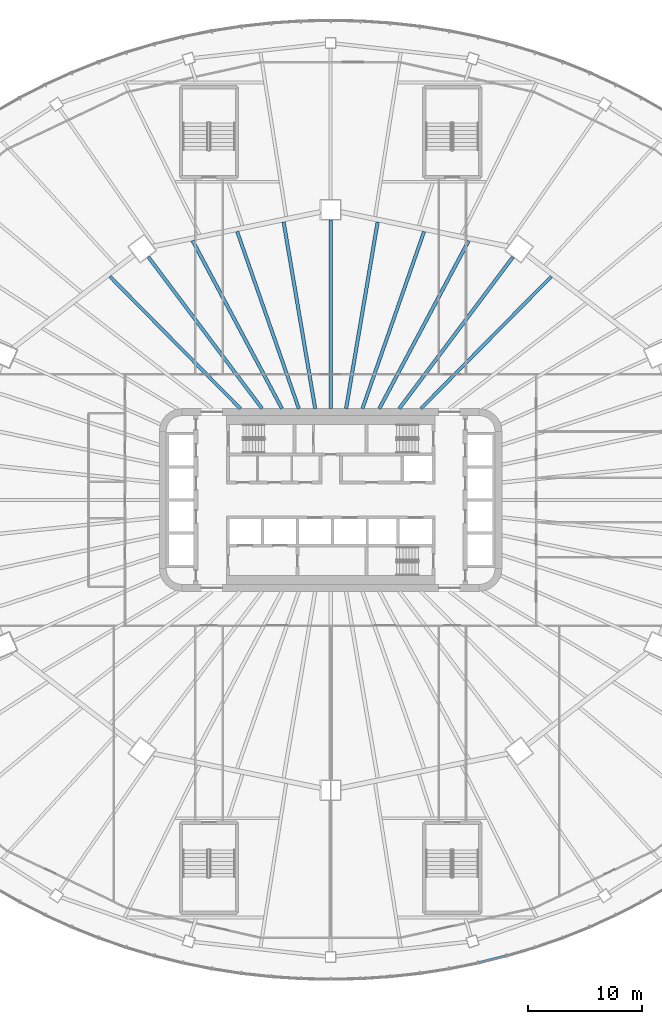
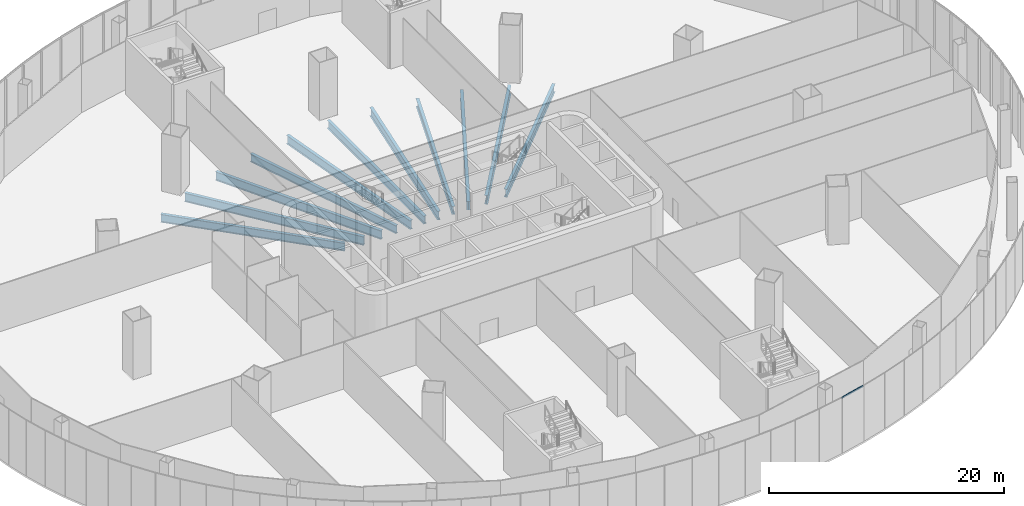
# One storey, part 8 of 37: 11 beams, 1 member, 1 element without a shape of its own.
"""IFC4 building model written with IfcOpenShell, lengths in metres."""

from ifc_helpers import new_model, si_unit, direction, frame, origin, origin_2d, place, context, subcontext, project, spatial, rectangle, i_section, extrude, material, layer, layer_set, material_profile, profile_set, type_object, element, aggregate, save


model = new_model("IFC4")

# Units and contexts
model_context = context("Model", 3, precision=1e-05, world=origin(), true_north=direction((0.0, 1.0)))
body_context = subcontext(model_context, "Body", "Model", "MODEL_VIEW")
ifc_project = project(units=[si_unit("LENGTHUNIT", "METRE"), si_unit("AREAUNIT", "SQUARE_METRE"), si_unit("VOLUMEUNIT", "CUBIC_METRE"), si_unit("PLANEANGLEUNIT", "RADIAN"), si_unit("MASSUNIT", "GRAM", prefix="KILO")], contexts=[model_context])

# Site, building, storey
site_placement = place(None, origin())
site = spatial("IfcSite", under=ifc_project, at=site_placement, CompositionType="ELEMENT")
building_placement = place(site_placement, origin())
building = spatial("IfcBuilding", under=site, at=building_placement, Name="Sahrelin Media Tower", CompositionType="ELEMENT")
storey_placement = place(building_placement, frame((0.0, 0.0, 31.39990234375)))
storey = spatial("IfcBuildingStorey", under=building, at=storey_placement, Name="L04", CompositionType="ELEMENT", Elevation=31.39990234375)

# Beams
ifc_material_1 = material(Name="Steel S355", Category="steel")
ifc_material_profile_1 = material_profile(ifc_material_1, i_section(OverallWidth=0.291748046875, OverallDepth=0.8349609375, WebThickness=0.013916015625, FlangeThickness=0.018798828125, FilletRadius=0.017822265625, at=origin_2d()), Name="UB 838x292x176")
ifc_profile_set_1 = profile_set([ifc_material_profile_1], Name="Steel S355")
beam_type_1 = type_object("IfcBeamType", Name="Radial primary beam PB10", PredefinedType="BEAM", material=ifc_profile_set_1)
beam_1_placement = place(storey_placement, frame((2.784912109375, 8.0, -0.6171875), z_axis=(0.328776215552, 0.944407856854, 0.0), x_axis=(-0.944407856854, 0.328776215552, 0.0)))
element("IfcBeam", 1, at=beam_1_placement, inside=storey, type_object=beam_type_1, Name="Radial beam L04-06", PredefinedType="BEAM", context=body_context, shape_type="SweptSolid", body=[
    extrude(i_section(OverallWidth=0.291748046875, OverallDepth=0.8349609375, WebThickness=0.013916015625, FlangeThickness=0.018798828125, FilletRadius=0.017822265625, at=origin_2d()), origin(), (0.0, 0.0, 1.0), 16.41162109375),
])
beam_2_placement = place(storey_placement, frame((0.0, 8.0, -0.6171875), z_axis=(0.0, 1.0, 0.0), x_axis=(-1.0, 0.0, 0.0)))
element("IfcBeam", 2, at=beam_2_placement, inside=storey, type_object=beam_type_1, Name="Radial beam L04-07", PredefinedType="BEAM", context=body_context, shape_type="SweptSolid", body=[
    extrude(i_section(OverallWidth=0.291748046875, OverallDepth=0.8349609375, WebThickness=0.013916015625, FlangeThickness=0.018798828125, FilletRadius=0.017822265625, at=origin_2d()), origin(), (0.0, 0.0, 1.0), 16.5),
])
beam_3_placement = place(storey_placement, frame((-2.784912109375, 8.0, -0.6171875), z_axis=(-0.328776215552, 0.944407856854, 0.0), x_axis=(-0.944407856854, -0.328776215552, 0.0)))
element("IfcBeam", 3, at=beam_3_placement, inside=storey, type_object=beam_type_1, Name="Radial beam L04-08", PredefinedType="BEAM", context=body_context, shape_type="SweptSolid", body=[
    extrude(i_section(OverallWidth=0.291748046875, OverallDepth=0.8349609375, WebThickness=0.013916015625, FlangeThickness=0.018798828125, FilletRadius=0.017822265625, at=origin_2d()), origin(), (0.0, 0.0, 1.0), 16.41162109375),
])
ifc_material_profile_2 = material_profile(ifc_material_1, i_section(OverallWidth=0.30322265625, OverallDepth=0.903076171875, WebThickness=0.01513671875, FlangeThickness=0.020263671875, FilletRadius=0.01904296875, at=origin_2d()), Name="UB 914x305x201")
ifc_profile_set_2 = profile_set([ifc_material_profile_2], Name="Steel S355")
beam_type_2 = type_object("IfcBeamType", Name="Radial primary beam PB11", PredefinedType="BEAM", material=ifc_profile_set_2)
for number, where, z_axis, x_axis, name in (
    (4, (6.000732421875, 8.0, -0.6513671875), (0.600054130443, 0.799959399306, 0.0), (-0.799959399306, 0.600054130443, 0.0), "Radial beam L04-05"),
    (5, (-6.000732421875, 8.0, -0.6513671875), (-0.600054130443, 0.799959399306, 0.0), (-0.799959399306, -0.600054130443, 0.0), "Radial beam L04-09"),
):
    element("IfcBeam", number, at=place(storey_placement, frame(where, z_axis=z_axis, x_axis=x_axis)), inside=storey, type_object=beam_type_2, Name=name, PredefinedType="BEAM", context=body_context, shape_type="SweptSolid", body=[
        extrude(i_section(OverallWidth=0.30322265625, OverallDepth=0.903076171875, WebThickness=0.01513671875, FlangeThickness=0.020263671875, FilletRadius=0.01904296875, at=origin_2d()), origin(), (0.0, 0.0, 1.0), 16.59716796875),
    ])
ifc_material_profile_3 = material_profile(ifc_material_1, i_section(OverallWidth=0.291748046875, OverallDepth=0.8349609375, WebThickness=0.013916015625, FlangeThickness=0.018798828125, FilletRadius=0.017822265625, at=origin_2d()), Name="UB 838x292x176")
ifc_profile_set_3 = profile_set([ifc_material_profile_3], Name="Steel S355")
beam_type_3 = type_object("IfcBeamType", Name="Radial secondary beam SB10", PredefinedType="BEAM", material=ifc_profile_set_3)
for number, where, z_axis, x_axis, name in (
    (6, (7.901123046875, 8.0, -0.6171875), (0.702706329063, 0.711480017355, 0.0), (-0.711480017355, 0.702706329063, 0.0), "Secondary beam L04-04"),
    (7, (-7.901123046875, 8.0, -0.6171875), (-0.702706329063, 0.711480017355, 0.0), (-0.711480017355, -0.702706329063, 0.0), "Secondary beam L04-09"),
):
    element("IfcBeam", number, at=place(storey_placement, frame(where, z_axis=z_axis, x_axis=x_axis)), inside=storey, type_object=beam_type_3, Name=name, PredefinedType="BEAM", context=body_context, shape_type="SweptSolid", body=[
        extrude(i_section(OverallWidth=0.291748046875, OverallDepth=0.8349609375, WebThickness=0.013916015625, FlangeThickness=0.018798828125, FilletRadius=0.017822265625, at=origin_2d()), origin(), (0.0, 0.0, 1.0), 16.250732421875),
    ])
ifc_material_profile_4 = material_profile(ifc_material_1, i_section(OverallWidth=0.30322265625, OverallDepth=0.903076171875, WebThickness=0.01513671875, FlangeThickness=0.020263671875, FilletRadius=0.01904296875, at=origin_2d()), Name="UB 914x305x201")
ifc_profile_set_4 = profile_set([ifc_material_profile_4], Name="Steel S355")
beam_type_4 = type_object("IfcBeamType", Name="Radial secondary beam SB11", PredefinedType="BEAM", material=ifc_profile_set_4)
beam_4_placement = place(storey_placement, frame((4.259765625, 8.0, -0.6513671875), z_axis=(0.469997453325, 0.882667770947, 0.0), x_axis=(-0.882667770947, 0.469997453325, 0.0)))
element("IfcBeam", 8, at=beam_4_placement, inside=storey, type_object=beam_type_4, Name="Secondary beam L04-05", PredefinedType="BEAM", context=body_context, shape_type="SweptSolid", body=[
    extrude(i_section(OverallWidth=0.30322265625, OverallDepth=0.903076171875, WebThickness=0.01513671875, FlangeThickness=0.020263671875, FilletRadius=0.01904296875, at=origin_2d()), origin(), (0.0, 0.0, 1.0), 16.6474609375),
])
for number, where, z_axis, x_axis, name in (
    (9, (1.352783203125, 8.0, -0.6513671875), (0.166704262426, 0.986006941603, 0.0), (-0.986006941603, 0.166704262426, 0.0), "Secondary beam L04-06"),
    (10, (-1.352783203125, 8.0, -0.6513671875), (-0.166704262426, 0.986006941603, 0.0), (-0.986006941603, -0.166704262426, 0.0), "Secondary beam L04-07"),
):
    element("IfcBeam", number, at=place(storey_placement, frame(where, z_axis=z_axis, x_axis=x_axis)), inside=storey, type_object=beam_type_4, Name=name, PredefinedType="BEAM", context=body_context, shape_type="SweptSolid", body=[
        extrude(i_section(OverallWidth=0.30322265625, OverallDepth=0.903076171875, WebThickness=0.01513671875, FlangeThickness=0.020263671875, FilletRadius=0.01904296875, at=origin_2d()), origin(), (0.0, 0.0, 1.0), 16.569580078125),
    ])
beam_5_placement = place(storey_placement, frame((-4.259765625, 8.0, -0.6513671875), z_axis=(-0.469997453325, 0.882667770947, 0.0), x_axis=(-0.882667770947, -0.469997453325, 0.0)))
element("IfcBeam", 11, at=beam_5_placement, inside=storey, type_object=beam_type_4, Name="Secondary beam L04-08", PredefinedType="BEAM", context=body_context, shape_type="SweptSolid", body=[
    extrude(i_section(OverallWidth=0.30322265625, OverallDepth=0.903076171875, WebThickness=0.01513671875, FlangeThickness=0.020263671875, FilletRadius=0.01904296875, at=origin_2d()), origin(), (0.0, 0.0, 1.0), 16.6474609375),
])

# Curtain wall, member
ifc_material_2 = material(Name="Champagne anodised aluminium 6063-T6", Category="aluminium")
ifc_layer = layer(ifc_material_2, 0.14990234375)
ifc_layer_set = layer_set([ifc_layer], Name="Podium ribbon curtain wall")
curtain_wall_type = type_object("IfcCurtainWallType", Name="Podium ribbon curtain wall", PredefinedType="NOTDEFINED", material=ifc_layer_set)
curtain_wall_placement = place(storey_placement, frame((12.94091796875, -40.56884765625, 0.0), z_axis=(0.0, 0.0, 1.0), x_axis=(1.0, 0.0, 0.0)))
curtain_wall = element("IfcCurtainWall", 12, at=curtain_wall_placement, inside=storey, type_object=curtain_wall_type, Name="L04:CW:L04-P19", PredefinedType="NOTDEFINED")
ifc_material_profile_5 = material_profile(ifc_material_2, rectangle(XDim=0.06005859375, YDim=0.14990234375, at=origin_2d()), Name="Transom 60x150")
ifc_profile_set_5 = profile_set([ifc_material_profile_5], Name="Champagne anodised aluminium 6063-T6")
member_type = type_object("IfcMemberType", Name="Transom 60x150 CW5", PredefinedType="USERDEFINED", material=ifc_profile_set_5)
member_placement = place(storey_placement, frame((12.977294921875, -40.50830078125, 5.72509765625), z_axis=(0.970424936956, 0.241403069023, 0.0), x_axis=(-0.241403069023, 0.970424936956, 0.0)))
member = element("IfcMember", 13, at=member_placement, type_object=member_type, Name="L04:CWT1a:L04-P19", ObjectType="TRANSOM", PredefinedType="USERDEFINED", context=body_context, shape_type="SweptSolid", body=[
    extrude(rectangle(XDim=0.06005859375, YDim=0.14990234375, at=origin_2d()), origin(), (0.0, 0.0, 1.0), 2.536376953125),
])
aggregate(curtain_wall, [member])

save(model, "model.ifc")
